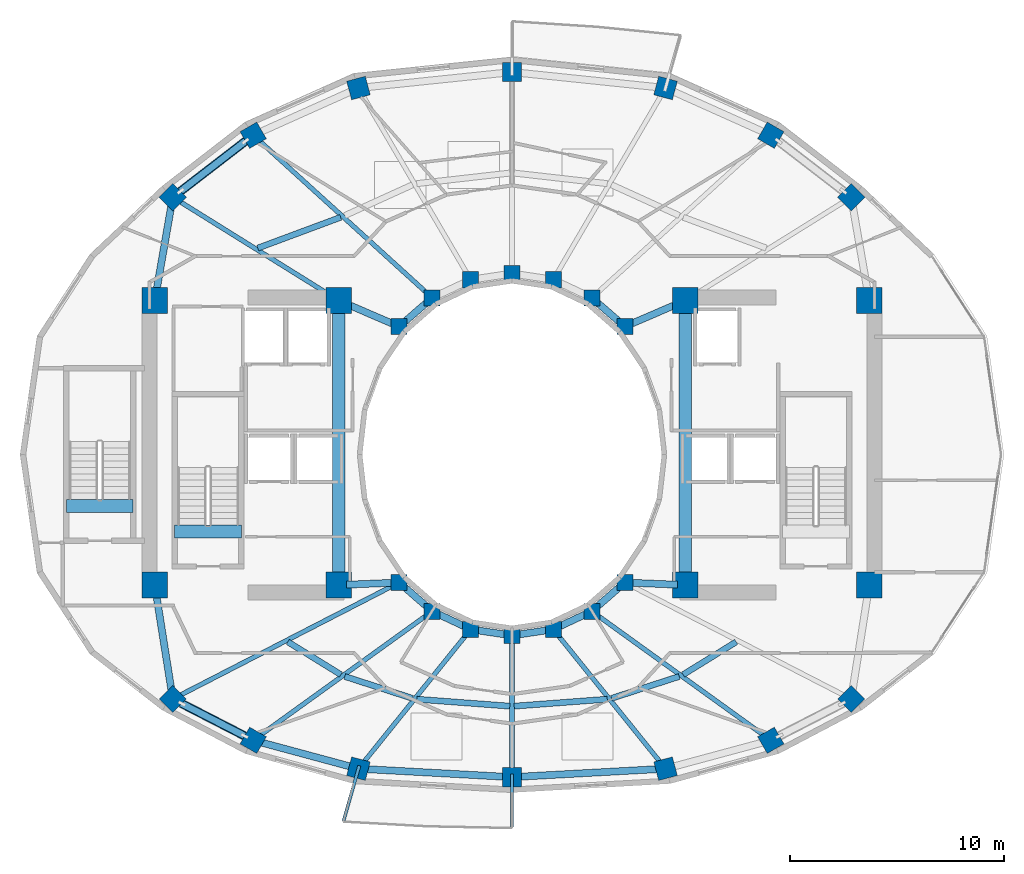
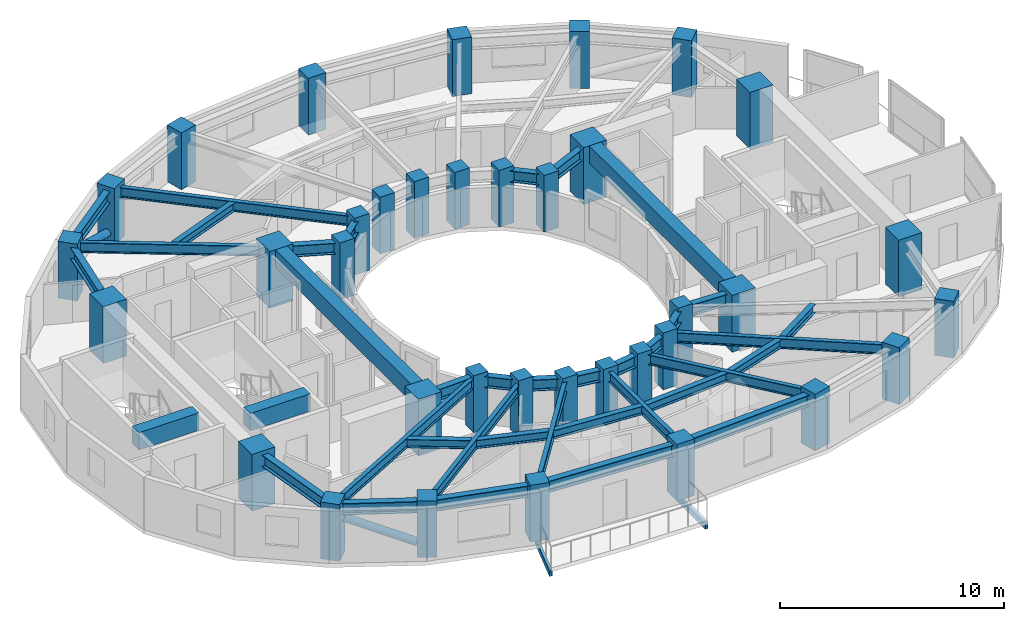
# One storey, part 1 of 13: 40 beams, 36 columns, 2 members.
"""IFC4 building model written with IfcOpenShell, lengths in metres."""

from ifc_helpers import new_model, si_unit, direction, frame, origin, origin_2d, place, context, subcontext, project, spatial, rectangle, hollow_rectangle, hollow_circle, i_section, extrude, material, material_profile, profile_set, type_object, element, save


model = new_model("IFC4")

# Units and contexts
model_context = context("Model", 3, precision=1e-05, world=origin(), true_north=direction((0.0, 1.0)))
body_context = subcontext(model_context, "Body", "Model", "MODEL_VIEW")
ifc_project = project(units=[si_unit("LENGTHUNIT", "METRE"), si_unit("AREAUNIT", "SQUARE_METRE"), si_unit("VOLUMEUNIT", "CUBIC_METRE"), si_unit("PLANEANGLEUNIT", "RADIAN"), si_unit("MASSUNIT", "GRAM", prefix="KILO")], contexts=[model_context])

# Site, building, storey
site_placement = place(None, origin())
site = spatial("IfcSite", under=ifc_project, at=site_placement, CompositionType="ELEMENT")
building_placement = place(site_placement, origin())
building = spatial("IfcBuilding", under=site, at=building_placement, Name="Solvane Sanctuary Tower", CompositionType="ELEMENT")
storey_placement = place(building_placement, frame((0.0, 0.0, 156.0)))
storey = spatial("IfcBuildingStorey", under=building, at=storey_placement, Name="L47", CompositionType="ELEMENT", Elevation=156.0)

# Columns
ifc_material_1 = material(Name="Concrete C50/60", Category="concrete")
ifc_material_profile_1 = material_profile(ifc_material_1, rectangle(XDim=0.75, YDim=0.75, at=origin_2d()), Name="RC750X750")
ifc_profile_set_1 = profile_set([ifc_material_profile_1], Name="Concrete C50/60")
column_type_1 = type_object("IfcColumnType", Name="Column C-RING-Z3 RC750X750", PredefinedType="COLUMN", material=ifc_profile_set_1)
for number, where, z_axis, x_axis, name in (
    (1, (37.27490234375, 28.982177734375, 0.0), (0.0, 0.0, 1.0), (1.0, 0.0, 0.0), "L47 Inner Light-Well Ring Column IC01"),
    (2, (35.72998046875, 30.32666015625, 0.0), (0.0, 0.0, 1.0), (1.0, 0.0, 0.0), "L47 Inner Light-Well Ring Column IC02"),
    (3, (33.930908203125, 31.171630859375, 0.0), (0.0, 0.0, 1.0), (1.0, 0.0, 0.0), "L47 Inner Light-Well Ring Column IC03"),
    (4, (32.0, 31.4599609375, 0.0), (0.0, 0.0, 1.0), (1.0, 0.0, 0.0), "L47 Inner Light-Well Ring Column IC04"),
    (5, (30.069091796875, 31.171630859375, 0.0), (0.0, 0.0, 1.0), (1.0, 0.0, 0.0), "L47 Inner Light-Well Ring Column IC05"),
    (6, (28.27001953125, 30.32666015625, 0.0), (0.0, 0.0, 1.0), (1.0, 0.0, 0.0), "L47 Inner Light-Well Ring Column IC06"),
    (7, (26.72509765625, 28.982177734375, 0.0), (0.0, 0.0, 1.0), (1.0, 0.0, 0.0), "L47 Inner Light-Well Ring Column IC07"),
    (8, (26.72509765625, 17.017822265625, 0.0), (0.0, 0.0, 1.0), (1.0, 0.0, 0.0), "L47 Inner Light-Well Ring Column IC08"),
    (9, (28.27001953125, 15.67333984375, 0.0), (0.0, 0.0, 1.0), (1.0, 0.0, 0.0), "L47 Inner Light-Well Ring Column IC09"),
    (10, (30.069091796875, 14.828369140625, 0.0), (0.0, 0.0, 1.0), (1.0, 0.0, 0.0), "L47 Inner Light-Well Ring Column IC10"),
    (11, (32.0, 14.5400390625, 0.0), (0.0, 0.0, 1.0), (1.0, 0.0, 0.0), "L47 Inner Light-Well Ring Column IC11"),
    (12, (33.930908203125, 14.828369140625, 0.0), (0.0, 0.0, 1.0), (1.0, 0.0, 0.0), "L47 Inner Light-Well Ring Column IC12"),
    (13, (35.72998046875, 15.67333984375, 0.0), (0.0, 0.0, 1.0), (1.0, 0.0, 0.0), "L47 Inner Light-Well Ring Column IC13"),
    (14, (37.27490234375, 17.017822265625, 0.0), (0.0, 0.0, 1.0), (1.0, 0.0, 0.0), "L47 Inner Light-Well Ring Column IC14"),
):
    element("IfcColumn", number, at=place(storey_placement, frame(where, z_axis=z_axis, x_axis=x_axis)), inside=storey, type_object=column_type_1, Name=name, PredefinedType="COLUMN", context=body_context, shape_type="SweptSolid", body=[
        extrude(rectangle(XDim=0.75, YDim=0.75, at=origin_2d()), origin(), (0.0, 0.0, 1.0), 3.10009765625),
    ])
ifc_material_2 = material(Name="Concrete C70/85", Category="concrete")
ifc_material_profile_2 = material_profile(ifc_material_2, rectangle(XDim=1.199951171875, YDim=1.199951171875, at=origin_2d()), Name="RC1200X1200")
ifc_profile_set_2 = profile_set([ifc_material_profile_2], Name="Concrete C70/85")
column_type_2 = type_object("IfcColumnType", Name="Column C-TUBE-Z1 RC1200X1200", PredefinedType="COLUMN", material=ifc_profile_set_2)
for number, where, z_axis, x_axis, name in (
    (15, (15.300048828125, 16.89990234375, 0.0), (0.0, 0.0, 1.0), (1.0, 0.0, 0.0), "L47 Core Corner Column CW1"),
    (16, (23.89990234375, 16.89990234375, 0.0), (0.0, 0.0, 1.0), (1.0, 0.0, 0.0), "L47 Core Corner Column CW2"),
    (17, (23.89990234375, 30.199951171875, 0.0), (0.0, 0.0, 1.0), (1.0, 0.0, 0.0), "L47 Core Corner Column CW3"),
    (18, (15.300048828125, 30.199951171875, 0.0), (0.0, 0.0, 1.0), (1.0, 0.0, 0.0), "L47 Core Corner Column CW4"),
    (19, (40.10009765625, 16.89990234375, 0.0), (0.0, 0.0, 1.0), (1.0, 0.0, 0.0), "L47 Core Corner Column CE1"),
    (20, (48.699951171875, 16.89990234375, 0.0), (0.0, 0.0, 1.0), (1.0, 0.0, 0.0), "L47 Core Corner Column CE2"),
    (21, (48.699951171875, 30.199951171875, 0.0), (0.0, 0.0, 1.0), (1.0, 0.0, 0.0), "L47 Core Corner Column CE3"),
    (22, (40.10009765625, 30.199951171875, 0.0), (0.0, 0.0, 1.0), (1.0, 0.0, 0.0), "L47 Core Corner Column CE4"),
):
    element("IfcColumn", number, at=place(storey_placement, frame(where, z_axis=z_axis, x_axis=x_axis)), inside=storey, type_object=column_type_2, Name=name, PredefinedType="COLUMN", context=body_context, shape_type="SweptSolid", body=[
        extrude(rectangle(XDim=1.199951171875, YDim=1.199951171875, at=origin_2d()), origin(), (0.0, 0.0, 1.0), 3.10009765625),
    ])
ifc_material_3 = material(Name="Concrete C60/75", Category="concrete")
ifc_material_profile_3 = material_profile(ifc_material_3, rectangle(XDim=0.89990234375, YDim=0.89990234375, at=origin_2d()), Name="RC900X900")
ifc_profile_set_3 = profile_set([ifc_material_profile_3], Name="Concrete C60/75")
column_type_3 = type_object("IfcColumnType", Name="Column C-TUBE-Z3 RC900X900", PredefinedType="COLUMN", material=ifc_profile_set_3)
for number, where, z_axis, x_axis, name in (
    (23, (47.856689453125, 35.031005859375, 0.0), (0.0, 0.0, 1.0), (0.707106781187, 0.707106781187, 0.0), "L47 Perimeter Tube Column TC01"),
    (24, (44.09814453125, 37.927978515625, 0.0), (0.0, 0.0, 1.0), (0.5, 0.866025403784, 0.0), "L47 Perimeter Tube Column TC02"),
    (25, (39.17822265625, 40.134521484375, 0.0), (0.0, 0.0, 1.0), (0.258819045103, 0.965925826289, 0.0), "L47 Perimeter Tube Column TC03"),
    (26, (32.0, 40.8798828125, 0.0), (0.0, 0.0, 1.0), (0.0, 1.0, 0.0), "L47 Perimeter Tube Column TC04"),
    (27, (24.82177734375, 40.134521484375, 0.0), (0.0, 0.0, 1.0), (-0.258819045103, 0.965925826289, 0.0), "L47 Perimeter Tube Column TC05"),
    (28, (19.90185546875, 37.927978515625, 0.0), (0.0, 0.0, 1.0), (-0.5, 0.866025403784, 0.0), "L47 Perimeter Tube Column TC06"),
    (29, (16.143310546875, 35.031005859375, 0.0), (0.0, 0.0, 1.0), (-0.707106781187, 0.707106781187, 0.0), "L47 Perimeter Tube Column TC07"),
    (30, (16.143310546875, 11.573486328125, 0.0), (0.0, 0.0, 1.0), (-0.707106781187, -0.707106781187, 0.0), "L47 Perimeter Tube Column TC08"),
    (31, (19.90185546875, 9.640625, 0.0), (0.0, 0.0, 1.0), (-0.5, -0.866025403784, 0.0), "L47 Perimeter Tube Column TC09"),
    (32, (24.82177734375, 8.313232421875, 0.0), (0.0, 0.0, 1.0), (-0.258819045103, -0.965925826289, 0.0), "L47 Perimeter Tube Column TC10"),
    (33, (32.0, 7.919921875, 0.0), (0.0, 0.0, 1.0), (0.0, -1.0, 0.0), "L47 Perimeter Tube Column TC11"),
    (34, (39.17822265625, 8.313232421875, 0.0), (0.0, 0.0, 1.0), (0.258819045103, -0.965925826289, 0.0), "L47 Perimeter Tube Column TC12"),
    (35, (44.09814453125, 9.640625, 0.0), (0.0, 0.0, 1.0), (0.5, -0.866025403784, 0.0), "L47 Perimeter Tube Column TC13"),
    (36, (47.856689453125, 11.573486328125, 0.0), (0.0, 0.0, 1.0), (0.707106781187, -0.707106781187, 0.0), "L47 Perimeter Tube Column TC14"),
):
    element("IfcColumn", number, at=place(storey_placement, frame(where, z_axis=z_axis, x_axis=x_axis)), inside=storey, type_object=column_type_3, Name=name, PredefinedType="COLUMN", context=body_context, shape_type="SweptSolid", body=[
        extrude(rectangle(XDim=0.89990234375, YDim=0.89990234375, at=origin_2d()), origin(), (0.0, 0.0, 1.0), 3.10009765625),
    ])

# Beams
ifc_material_4 = material(Name="Steel ASTM A500 Grade C", Category="steel")
ifc_material_profile_4 = material_profile(ifc_material_4, hollow_rectangle(XDim=0.14990234375, YDim=0.300048828125, WallThickness=0.010009765625, at=origin_2d()), Name="HSS300X150X10")
ifc_profile_set_4 = profile_set([ifc_material_profile_4], Name="Steel ASTM A500 Grade C")
beam_type_1 = type_object("IfcBeamType", Name="Beam B-BALC-BRK HSS300X150X10", PredefinedType="BEAM", material=ifc_profile_set_4)
beam_1_placement = place(storey_placement, frame((24.863037109375, 8.45751953125, -0.3720703125), z_axis=(-0.274985867497, -0.961448268331, 0.0), x_axis=(0.961448268331, -0.274985867497, 0.0)))
element("IfcBeam", 37, at=beam_1_placement, inside=storey, type_object=beam_type_1, Name="L47 Balcony Bracket SC-1", PredefinedType="BEAM", context=body_context, shape_type="SweptSolid", body=[
    extrude(hollow_rectangle(XDim=0.14990234375, YDim=0.300048828125, WallThickness=0.010009765625, at=origin_2d()), origin(), (0.0, 0.0, 1.0), 2.679443359375),
])
beam_2_placement = place(storey_placement, frame((32.0, 8.070068359375, -0.3720703125), z_axis=(0.0, -1.0, 0.0), x_axis=(1.0, 0.0, 0.0)))
element("IfcBeam", 38, at=beam_2_placement, inside=storey, type_object=beam_type_1, Name="L47 Balcony Bracket SC-2", PredefinedType="BEAM", context=body_context, shape_type="SweptSolid", body=[
    extrude(hollow_rectangle(XDim=0.14990234375, YDim=0.300048828125, WallThickness=0.010009765625, at=origin_2d()), origin(), (0.0, 0.0, 1.0), 2.484619140625),
])
ifc_material_profile_5 = material_profile(ifc_material_2, rectangle(XDim=0.60009765625, YDim=0.949951171875, at=origin_2d()), Name="RC600X950")
ifc_profile_set_5 = profile_set([ifc_material_profile_5], Name="Concrete C70/85")
beam_type_2 = type_object("IfcBeamType", Name="Beam B-COUPLE RC600X950", PredefinedType="LINTEL", material=ifc_profile_set_5)
for number, where, z_axis, x_axis, name in (
    (39, (23.89990234375, 17.35009765625, 2.625), (0.0, 1.0, 0.0), (-1.0, 0.0, 0.0), "L47 West Core Coupling Lintel"),
    (40, (40.10009765625, 17.35009765625, 2.625), (0.0, 1.0, 0.0), (-1.0, 0.0, 0.0), "L47 East Core Coupling Lintel"),
):
    element("IfcBeam", number, at=place(storey_placement, frame(where, z_axis=z_axis, x_axis=x_axis)), inside=storey, type_object=beam_type_2, Name=name, PredefinedType="LINTEL", context=body_context, shape_type="SweptSolid", body=[
        extrude(rectangle(XDim=0.60009765625, YDim=0.949951171875, at=origin_2d()), origin(), (0.0, 0.0, 1.0), 12.39990234375),
    ])
for number, where, z_axis, x_axis, name in (
    (41, (16.22998046875, 19.399169921875, 2.625), (1.0, 0.0, 0.0), (0.0, 1.0, 0.0), "L47 ST-1 Stair Floor Landing Trimmer"),
    (42, (11.169921875, 20.59912109375, 2.625), (1.0, 0.0, 0.0), (0.0, 1.0, 0.0), "L47 ST-3 Stair Floor Landing Trimmer"),
):
    element("IfcBeam", number, at=place(storey_placement, frame(where, z_axis=z_axis, x_axis=x_axis)), inside=storey, type_object=beam_type_2, Name=name, PredefinedType="LINTEL", context=body_context, shape_type="SweptSolid", body=[
        extrude(rectangle(XDim=0.60009765625, YDim=0.949951171875, at=origin_2d()), origin(), (0.0, 0.0, 1.0), 3.1201171875),
    ])
ifc_material_5 = material(Name="Steel ASTM A992 Grade 50", Category="steel")
ifc_material_profile_6 = material_profile(ifc_material_5, i_section(OverallWidth=0.214111328125, OverallDepth=0.549072265625, WebThickness=0.0146484375, FlangeThickness=0.023681640625, FilletRadius=0.014892578125, at=origin_2d()), Name="W21X93")
ifc_profile_set_6 = profile_set([ifc_material_profile_6], Name="Steel ASTM A992 Grade 50")
beam_type_3 = type_object("IfcBeamType", Name="Beam B-RAD-Z3 W21X93", PredefinedType="JOIST", material=ifc_profile_set_6)
beam_3_placement = place(storey_placement, frame((28.062744140625, 30.514892578125, 2.603515625), z_axis=(-0.74020423772, 0.672382098558, 0.0), x_axis=(-0.672382098558, -0.74020423772, 0.0)))
element("IfcBeam", 43, at=beam_3_placement, inside=storey, type_object=beam_type_3, Name="L47 Radial Composite Floor Beam 06", PredefinedType="JOIST", context=body_context, shape_type="SweptSolid", body=[
    extrude(i_section(OverallWidth=0.214111328125, OverallDepth=0.549072265625, WebThickness=0.0146484375, FlangeThickness=0.023681640625, FilletRadius=0.014892578125, at=origin_2d()), origin(), (0.0, 0.0, 1.0), 10.7451171875),
])
beam_4_placement = place(storey_placement, frame((23.594482421875, 30.390380859375, 2.603515625), z_axis=(-0.84882685523, 0.528670946658, 0.0), x_axis=(-0.528670946658, -0.84882685523, 0.0)))
element("IfcBeam", 44, at=beam_4_placement, inside=storey, type_object=beam_type_3, Name="L47 Radial Composite Floor Beam 07", PredefinedType="JOIST", context=body_context, shape_type="SweptSolid", body=[
    extrude(i_section(OverallWidth=0.214111328125, OverallDepth=0.549072265625, WebThickness=0.0146484375, FlangeThickness=0.023681640625, FilletRadius=0.014892578125, at=origin_2d()), origin(), (0.0, 0.0, 1.0), 8.498046875),
])
beam_5_placement = place(storey_placement, frame((26.47607421875, 16.889892578125, 2.603515625), z_axis=(-0.889204980299, -0.457509019595, 0.0), x_axis=(0.457509019595, -0.889204980299, 0.0)))
element("IfcBeam", 45, at=beam_5_placement, inside=storey, type_object=beam_type_3, Name="L47 Radial Composite Floor Beam 08", PredefinedType="JOIST", context=body_context, shape_type="SweptSolid", body=[
    extrude(i_section(OverallWidth=0.214111328125, OverallDepth=0.549072265625, WebThickness=0.0146484375, FlangeThickness=0.023681640625, FilletRadius=0.014892578125, at=origin_2d()), origin(), (0.0, 0.0, 1.0), 11.340087890625),
])
beam_6_placement = place(storey_placement, frame((28.04296875, 15.509765625, 2.603515625), z_axis=(-0.811184384633, -0.584790470277, 0.0), x_axis=(0.584790470277, -0.811184384633, 0.0)))
element("IfcBeam", 46, at=beam_6_placement, inside=storey, type_object=beam_type_3, Name="L47 Radial Composite Floor Beam 09", PredefinedType="JOIST", context=body_context, shape_type="SweptSolid", body=[
    extrude(i_section(OverallWidth=0.214111328125, OverallDepth=0.549072265625, WebThickness=0.0146484375, FlangeThickness=0.023681640625, FilletRadius=0.014892578125, at=origin_2d()), origin(), (0.0, 0.0, 1.0), 9.756103515625),
])
beam_7_placement = place(storey_placement, frame((29.8935546875, 14.610107421875, 2.603515625), z_axis=(-0.627296867999, -0.778780225352, 0.0), x_axis=(0.778780225352, -0.627296867999, 0.0)))
element("IfcBeam", 47, at=beam_7_placement, inside=storey, type_object=beam_type_3, Name="L47 Radial Composite Floor Beam 10", PredefinedType="JOIST", context=body_context, shape_type="SweptSolid", body=[
    extrude(i_section(OverallWidth=0.214111328125, OverallDepth=0.549072265625, WebThickness=0.0146484375, FlangeThickness=0.023681640625, FilletRadius=0.014892578125, at=origin_2d()), origin(), (0.0, 0.0, 1.0), 7.805419921875),
])
beam_8_placement = place(storey_placement, frame((32.0, 14.260009765625, 2.603515625), z_axis=(0.0, -1.0, 0.0), x_axis=(1.0, 0.0, 0.0)))
element("IfcBeam", 48, at=beam_8_placement, inside=storey, type_object=beam_type_3, Name="L47 Radial Composite Floor Beam 11", PredefinedType="JOIST", context=body_context, shape_type="SweptSolid", body=[
    extrude(i_section(OverallWidth=0.214111328125, OverallDepth=0.549072265625, WebThickness=0.0146484375, FlangeThickness=0.023681640625, FilletRadius=0.014892578125, at=origin_2d()), origin(), (0.0, 0.0, 1.0), 6.06005859375),
])
beam_9_placement = place(storey_placement, frame((34.1064453125, 14.610107421875, 2.603515625), z_axis=(0.627296867999, -0.778780225352, 0.0), x_axis=(0.778780225352, 0.627296867999, 0.0)))
element("IfcBeam", 49, at=beam_9_placement, inside=storey, type_object=beam_type_3, Name="L47 Radial Composite Floor Beam 12", PredefinedType="JOIST", context=body_context, shape_type="SweptSolid", body=[
    extrude(i_section(OverallWidth=0.214111328125, OverallDepth=0.549072265625, WebThickness=0.0146484375, FlangeThickness=0.023681640625, FilletRadius=0.014892578125, at=origin_2d()), origin(), (0.0, 0.0, 1.0), 7.805419921875),
])
beam_10_placement = place(storey_placement, frame((35.95703125, 15.509765625, 2.603515625), z_axis=(0.811184384633, -0.584790470277, 0.0), x_axis=(0.584790470277, 0.811184384633, 0.0)))
element("IfcBeam", 50, at=beam_10_placement, inside=storey, type_object=beam_type_3, Name="L47 Radial Composite Floor Beam 13", PredefinedType="JOIST", context=body_context, shape_type="SweptSolid", body=[
    extrude(i_section(OverallWidth=0.214111328125, OverallDepth=0.549072265625, WebThickness=0.0146484375, FlangeThickness=0.023681640625, FilletRadius=0.014892578125, at=origin_2d()), origin(), (0.0, 0.0, 1.0), 9.756103515625),
])
ifc_material_profile_7 = material_profile(ifc_material_5, i_section(OverallWidth=0.324951171875, OverallDepth=0.615966796875, WebThickness=0.013916015625, FlangeThickness=0.021484375, FilletRadius=0.01611328125, at=origin_2d()), Name="W24X117")
ifc_profile_set_7 = profile_set([ifc_material_profile_7], Name="Steel ASTM A992 Grade 50")
beam_type_4 = type_object("IfcBeamType", Name="Beam B-RING-IN2 W24X117", PredefinedType="BEAM", material=ifc_profile_set_7)
beam_11_placement = place(storey_placement, frame((24.230712890625, 30.0576171875, 2.570068359375), z_axis=(0.918264067649, -0.395968561966, 0.0), x_axis=(0.395968561966, 0.918264067649, 0.0)))
element("IfcBeam", 51, at=beam_11_placement, inside=storey, type_object=beam_type_4, Name="L47 Inner Light-Well Ring Beam CW3-IC07", PredefinedType="BEAM", context=body_context, shape_type="SweptSolid", body=[
    extrude(i_section(OverallWidth=0.324951171875, OverallDepth=0.615966796875, WebThickness=0.013916015625, FlangeThickness=0.021484375, FilletRadius=0.01611328125, at=origin_2d()), origin(), (0.0, 0.0, 1.0), 2.371337890625),
])
for number, where, z_axis, x_axis, name in (
    (52, (26.9853515625, 29.20849609375, 2.570068359375), (0.754311313851, 0.656516901379, 0.0), (-0.656516901379, 0.754311313851, 0.0), "L47 Inner Light-Well Ring Beam IC07-IC06"),
    (53, (35.990234375, 30.10009765625, 2.570068359375), (0.754311313851, -0.656516901379, 0.0), (0.656516901379, 0.754311313851, 0.0), "L47 Inner Light-Well Ring Beam IC02-IC01"),
):
    element("IfcBeam", number, at=place(storey_placement, frame(where, z_axis=z_axis, x_axis=x_axis)), inside=storey, type_object=beam_type_4, Name=name, PredefinedType="BEAM", context=body_context, shape_type="SweptSolid", body=[
        extrude(i_section(OverallWidth=0.324951171875, OverallDepth=0.615966796875, WebThickness=0.013916015625, FlangeThickness=0.021484375, FilletRadius=0.01611328125, at=origin_2d()), origin(), (0.0, 0.0, 1.0), 1.358154296875),
    ])
beam_12_placement = place(storey_placement, frame((37.591796875, 29.11865234375, 2.570068359375), z_axis=(0.918264067649, 0.395968561966, 0.0), x_axis=(-0.395968561966, 0.918264067649, 0.0)))
element("IfcBeam", 54, at=beam_12_placement, inside=storey, type_object=beam_type_4, Name="L47 Inner Light-Well Ring Beam IC01-CE4", PredefinedType="BEAM", context=body_context, shape_type="SweptSolid", body=[
    extrude(i_section(OverallWidth=0.324951171875, OverallDepth=0.615966796875, WebThickness=0.013916015625, FlangeThickness=0.021484375, FilletRadius=0.01611328125, at=origin_2d()), origin(), (0.0, 0.0, 1.0), 2.371337890625),
])
beam_13_placement = place(storey_placement, frame((24.259765625, 16.9150390625, 2.570068359375), z_axis=(0.999132674336, 0.041640113759, 0.0), x_axis=(-0.041640113759, 0.999132674336, 0.0)))
element("IfcBeam", 55, at=beam_13_placement, inside=storey, type_object=beam_type_4, Name="L47 Inner Light-Well Ring Beam CW2-IC08", PredefinedType="BEAM", context=body_context, shape_type="SweptSolid", body=[
    extrude(i_section(OverallWidth=0.324951171875, OverallDepth=0.615966796875, WebThickness=0.013916015625, FlangeThickness=0.021484375, FilletRadius=0.01611328125, at=origin_2d()), origin(), (0.0, 0.0, 1.0), 2.12255859375),
])
beam_14_placement = place(storey_placement, frame((26.9853515625, 16.79150390625, 2.570068359375), z_axis=(0.754311313851, -0.656516901379, 0.0), x_axis=(0.656516901379, 0.754311313851, 0.0)))
element("IfcBeam", 56, at=beam_14_placement, inside=storey, type_object=beam_type_4, Name="L47 Inner Light-Well Ring Beam IC08-IC09", PredefinedType="BEAM", context=body_context, shape_type="SweptSolid", body=[
    extrude(i_section(OverallWidth=0.324951171875, OverallDepth=0.615966796875, WebThickness=0.013916015625, FlangeThickness=0.021484375, FilletRadius=0.01611328125, at=origin_2d()), origin(), (0.0, 0.0, 1.0), 1.358154296875),
])
beam_15_placement = place(storey_placement, frame((28.582275390625, 15.526611328125, 2.570068359375), z_axis=(0.9051808128, -0.425026700502, 0.0), x_axis=(0.425026700502, 0.9051808128, 0.0)))
element("IfcBeam", 57, at=beam_15_placement, inside=storey, type_object=beam_type_4, Name="L47 Inner Light-Well Ring Beam IC09-IC10", PredefinedType="BEAM", context=body_context, shape_type="SweptSolid", body=[
    extrude(i_section(OverallWidth=0.324951171875, OverallDepth=0.615966796875, WebThickness=0.013916015625, FlangeThickness=0.021484375, FilletRadius=0.01611328125, at=origin_2d()), origin(), (0.0, 0.0, 1.0), 1.297607421875),
])
for number, where, z_axis, x_axis, name in (
    (58, (30.410400390625, 14.77734375, 2.570068359375), (0.989019905763, -0.147782360259, 0.0), (0.147782360259, 0.989019905763, 0.0), "L47 Inner Light-Well Ring Beam IC10-IC11"),
    (59, (32.34130859375, 14.5908203125, 2.570068359375), (0.989019905763, 0.147782360259, 0.0), (-0.147782360259, 0.989019905763, 0.0), "L47 Inner Light-Well Ring Beam IC11-IC12"),
):
    element("IfcBeam", number, at=place(storey_placement, frame(where, z_axis=z_axis, x_axis=x_axis)), inside=storey, type_object=beam_type_4, Name=name, PredefinedType="BEAM", context=body_context, shape_type="SweptSolid", body=[
        extrude(i_section(OverallWidth=0.324951171875, OverallDepth=0.615966796875, WebThickness=0.013916015625, FlangeThickness=0.021484375, FilletRadius=0.01611328125, at=origin_2d()), origin(), (0.0, 0.0, 1.0), 1.26220703125),
    ])
beam_16_placement = place(storey_placement, frame((34.2431640625, 14.97509765625, 2.570068359375), z_axis=(0.9051808128, 0.425026700502, 0.0), x_axis=(-0.425026700502, 0.9051808128, 0.0)))
element("IfcBeam", 60, at=beam_16_placement, inside=storey, type_object=beam_type_4, Name="L47 Inner Light-Well Ring Beam IC12-IC13", PredefinedType="BEAM", context=body_context, shape_type="SweptSolid", body=[
    extrude(i_section(OverallWidth=0.324951171875, OverallDepth=0.615966796875, WebThickness=0.013916015625, FlangeThickness=0.021484375, FilletRadius=0.01611328125, at=origin_2d()), origin(), (0.0, 0.0, 1.0), 1.297607421875),
])
beam_17_placement = place(storey_placement, frame((35.990234375, 15.89990234375, 2.570068359375), z_axis=(0.754311313851, 0.656516901379, 0.0), x_axis=(-0.656516901379, 0.754311313851, 0.0)))
element("IfcBeam", 61, at=beam_17_placement, inside=storey, type_object=beam_type_4, Name="L47 Inner Light-Well Ring Beam IC13-IC14", PredefinedType="BEAM", context=body_context, shape_type="SweptSolid", body=[
    extrude(i_section(OverallWidth=0.324951171875, OverallDepth=0.615966796875, WebThickness=0.013916015625, FlangeThickness=0.021484375, FilletRadius=0.01611328125, at=origin_2d()), origin(), (0.0, 0.0, 1.0), 1.358154296875),
])
beam_18_placement = place(storey_placement, frame((37.61962890625, 17.00341796875, 2.570068359375), z_axis=(0.999132674336, -0.041640113759, 0.0), x_axis=(0.041640113759, 0.999132674336, 0.0)))
element("IfcBeam", 62, at=beam_18_placement, inside=storey, type_object=beam_type_4, Name="L47 Inner Light-Well Ring Beam IC14-CE1", PredefinedType="BEAM", context=body_context, shape_type="SweptSolid", body=[
    extrude(i_section(OverallWidth=0.324951171875, OverallDepth=0.615966796875, WebThickness=0.013916015625, FlangeThickness=0.021484375, FilletRadius=0.01611328125, at=origin_2d()), origin(), (0.0, 0.0, 1.0), 2.12255859375),
])
ifc_material_profile_8 = material_profile(ifc_material_5, i_section(OverallWidth=0.280029296875, OverallDepth=0.462890625, WebThickness=0.0107421875, FlangeThickness=0.017333984375, FilletRadius=0.013916015625, at=origin_2d()), Name="W18X76")
ifc_profile_set_8 = profile_set([ifc_material_profile_8], Name="Steel ASTM A992 Grade 50")
beam_type_5 = type_object("IfcBeamType", Name="Beam B-SEC-JOIST W18X76", PredefinedType="JOIST", material=ifc_profile_set_8)
beam_19_placement = place(storey_placement, frame((20.1171875, 32.651123046875, 2.646484375), z_axis=(0.937265401165, 0.348616648741, 0.0), x_axis=(-0.348616648741, 0.937265401165, 0.0)))
element("IfcBeam", 63, at=beam_19_placement, inside=storey, type_object=beam_type_5, Name="L47 Secondary Circumferential Joist 07-06", PredefinedType="JOIST", context=body_context, shape_type="SweptSolid", body=[
    extrude(i_section(OverallWidth=0.280029296875, OverallDepth=0.462890625, WebThickness=0.0107421875, FlangeThickness=0.017333984375, FilletRadius=0.013916015625, at=origin_2d()), origin(), (0.0, 0.0, 1.0), 4.132568359375),
])
beam_20_placement = place(storey_placement, frame((21.52099609375, 14.2421875, 2.646484375), z_axis=(0.850675655701, -0.525690906139, 0.0), x_axis=(0.525690906139, 0.850675655701, 0.0)))
element("IfcBeam", 64, at=beam_20_placement, inside=storey, type_object=beam_type_5, Name="L47 Secondary Circumferential Joist 08-09", PredefinedType="JOIST", context=body_context, shape_type="SweptSolid", body=[
    extrude(i_section(OverallWidth=0.280029296875, OverallDepth=0.462890625, WebThickness=0.0107421875, FlangeThickness=0.017333984375, FilletRadius=0.013916015625, at=origin_2d()), origin(), (0.0, 0.0, 1.0), 2.913330078125),
])
beam_21_placement = place(storey_placement, frame((24.18310546875, 12.625732421875, 2.646484375), z_axis=(0.951499502658, -0.307650282695, 0.0), x_axis=(0.307650282695, 0.951499502658, 0.0)))
element("IfcBeam", 65, at=beam_21_placement, inside=storey, type_object=beam_type_5, Name="L47 Secondary Circumferential Joist 09-10", PredefinedType="JOIST", context=body_context, shape_type="SweptSolid", body=[
    extrude(i_section(OverallWidth=0.280029296875, OverallDepth=0.462890625, WebThickness=0.0107421875, FlangeThickness=0.017333984375, FilletRadius=0.013916015625, at=origin_2d()), origin(), (0.0, 0.0, 1.0), 3.32666015625),
])
for number, where, z_axis, x_axis, name in (
    (66, (27.547119140625, 11.563232421875, 2.646484375), (0.99721035762, -0.074642498994, 0.0), (0.074642498994, 0.99721035762, 0.0), "L47 Secondary Circumferential Joist 10-11"),
    (67, (32.101806640625, 11.237548828125, 2.646484375), (0.99721035762, 0.074642498994, 0.0), (-0.074642498994, 0.99721035762, 0.0), "L47 Secondary Circumferential Joist 11-12"),
):
    element("IfcBeam", number, at=place(storey_placement, frame(where, z_axis=z_axis, x_axis=x_axis)), inside=storey, type_object=beam_type_5, Name=name, PredefinedType="JOIST", context=body_context, shape_type="SweptSolid", body=[
        extrude(i_section(OverallWidth=0.280029296875, OverallDepth=0.462890625, WebThickness=0.0107421875, FlangeThickness=0.017333984375, FilletRadius=0.013916015625, at=origin_2d()), origin(), (0.0, 0.0, 1.0), 4.36328125),
    ])
beam_22_placement = place(storey_placement, frame((36.651611328125, 11.602294921875, 2.646484375), z_axis=(0.951499502658, 0.307650282695, 0.0), x_axis=(-0.307650282695, 0.951499502658, 0.0)))
element("IfcBeam", 68, at=beam_22_placement, inside=storey, type_object=beam_type_5, Name="L47 Secondary Circumferential Joist 12-13", PredefinedType="JOIST", context=body_context, shape_type="SweptSolid", body=[
    extrude(i_section(OverallWidth=0.280029296875, OverallDepth=0.462890625, WebThickness=0.0107421875, FlangeThickness=0.017333984375, FilletRadius=0.013916015625, at=origin_2d()), origin(), (0.0, 0.0, 1.0), 3.32666015625),
])
beam_23_placement = place(storey_placement, frame((40.0009765625, 12.710693359375, 2.646484375), z_axis=(0.850652494422, 0.525728383991, 0.0), x_axis=(-0.525728383991, 0.850652494422, 0.0)))
element("IfcBeam", 69, at=beam_23_placement, inside=storey, type_object=beam_type_5, Name="L47 Secondary Circumferential Joist 13-14", PredefinedType="JOIST", context=body_context, shape_type="SweptSolid", body=[
    extrude(i_section(OverallWidth=0.280029296875, OverallDepth=0.462890625, WebThickness=0.0107421875, FlangeThickness=0.017333984375, FilletRadius=0.013916015625, at=origin_2d()), origin(), (0.0, 0.0, 1.0), 2.9130859375),
])
ifc_material_profile_9 = material_profile(ifc_material_5, i_section(OverallWidth=0.327880859375, OverallDepth=0.6279296875, WebThickness=0.0166015625, FlangeThickness=0.027587890625, FilletRadius=0.01611328125, at=origin_2d()), Name="W24X146")
ifc_profile_set_9 = profile_set([ifc_material_profile_9], Name="Steel ASTM A992 Grade 50")
beam_type_6 = type_object("IfcBeamType", Name="Beam B-SPAND-Z3 W24X146", PredefinedType="SPANDREL", material=ifc_profile_set_9)
beam_24_placement = place(storey_placement, frame((15.34814453125, 30.475830078125, 2.56396484375), z_axis=(0.171967263087, 0.985102664917, 0.0), x_axis=(-0.985102664917, 0.171967263087, 0.0)))
element("IfcBeam", 70, at=beam_24_placement, inside=storey, type_object=beam_type_6, Name="L47 Perimeter Spandrel Beam CW4-TC07", PredefinedType="SPANDREL", context=body_context, shape_type="SweptSolid", body=[
    extrude(i_section(OverallWidth=0.327880859375, OverallDepth=0.6279296875, WebThickness=0.0166015625, FlangeThickness=0.027587890625, FilletRadius=0.01611328125, at=origin_2d()), origin(), (0.0, 0.0, 1.0), 4.34423828125),
])
beam_25_placement = place(storey_placement, frame((16.365234375, 35.201904296875, 2.56396484375), z_axis=(0.792020773873, 0.610494139001, 0.0), x_axis=(-0.610494139001, 0.792020773873, 0.0)))
element("IfcBeam", 71, at=beam_25_placement, inside=storey, type_object=beam_type_6, Name="L47 Perimeter Spandrel Beam TC07-TC06", PredefinedType="SPANDREL", context=body_context, shape_type="SweptSolid", body=[
    extrude(i_section(OverallWidth=0.327880859375, OverallDepth=0.6279296875, WebThickness=0.0166015625, FlangeThickness=0.027587890625, FilletRadius=0.01611328125, at=origin_2d()), origin(), (0.0, 0.0, 1.0), 4.185302734375),
])
beam_26_placement = place(storey_placement, frame((15.34375, 16.623291015625, 2.56396484375), z_axis=(0.156406167317, -0.987692822099, 0.0), x_axis=(0.987692822099, 0.156406167317, 0.0)))
element("IfcBeam", 72, at=beam_26_placement, inside=storey, type_object=beam_type_6, Name="L47 Perimeter Spandrel Beam CW1-TC08", PredefinedType="SPANDREL", context=body_context, shape_type="SweptSolid", body=[
    extrude(i_section(OverallWidth=0.327880859375, OverallDepth=0.6279296875, WebThickness=0.0166015625, FlangeThickness=0.027587890625, FilletRadius=0.01611328125, at=origin_2d()), origin(), (0.0, 0.0, 1.0), 4.832763671875),
])
beam_27_placement = place(storey_placement, frame((16.392333984375, 11.445556640625, 2.56396484375), z_axis=(0.889295540094, -0.457332966632, 0.0), x_axis=(0.457332966632, 0.889295540094, 0.0)))
element("IfcBeam", 73, at=beam_27_placement, inside=storey, type_object=beam_type_6, Name="L47 Perimeter Spandrel Beam TC08-TC09", PredefinedType="SPANDREL", context=body_context, shape_type="SweptSolid", body=[
    extrude(i_section(OverallWidth=0.327880859375, OverallDepth=0.6279296875, WebThickness=0.0166015625, FlangeThickness=0.027587890625, FilletRadius=0.01611328125, at=origin_2d()), origin(), (0.0, 0.0, 1.0), 3.66650390625),
])
beam_28_placement = place(storey_placement, frame((20.172119140625, 9.56787109375, 2.56396484375), z_axis=(0.965473224565, -0.260502308334, 0.0), x_axis=(0.260502308334, 0.965473224565, 0.0)))
element("IfcBeam", 74, at=beam_28_placement, inside=storey, type_object=beam_type_6, Name="L47 Perimeter Spandrel Beam TC09-TC10", PredefinedType="SPANDREL", context=body_context, shape_type="SweptSolid", body=[
    extrude(i_section(OverallWidth=0.327880859375, OverallDepth=0.6279296875, WebThickness=0.0166015625, FlangeThickness=0.027587890625, FilletRadius=0.01611328125, at=origin_2d()), origin(), (0.0, 0.0, 1.0), 4.535888671875),
])
for number, where, z_axis, x_axis, name in (
    (75, (25.101318359375, 8.298095703125, 2.56396484375), (0.998501325362, -0.054727536496, 0.0), (0.054727536496, 0.998501325362, 0.0), "L47 Perimeter Spandrel Beam TC10-TC11"),
    (76, (32.279541015625, 7.935302734375, 2.56396484375), (0.998501325362, 0.054727536496, 0.0), (-0.054727536496, 0.998501325362, 0.0), "L47 Perimeter Spandrel Beam TC11-TC12"),
):
    element("IfcBeam", number, at=place(storey_placement, frame(where, z_axis=z_axis, x_axis=x_axis)), inside=storey, type_object=beam_type_6, Name=name, PredefinedType="SPANDREL", context=body_context, shape_type="SweptSolid", body=[
        extrude(i_section(OverallWidth=0.327880859375, OverallDepth=0.6279296875, WebThickness=0.0166015625, FlangeThickness=0.027587890625, FilletRadius=0.01611328125, at=origin_2d()), origin(), (0.0, 0.0, 1.0), 6.629150390625),
    ])

# Members
ifc_material_profile_10 = material_profile(ifc_material_5, hollow_circle(Radius=0.202880859375, WallThickness=0.012451171875, at=origin_2d()), Name="CHS406X12.5")
ifc_profile_set_10 = profile_set([ifc_material_profile_10], Name="Steel ASTM A992 Grade 50")
member_type = type_object("IfcMemberType", Name="Member M-TUBE-Z3 CHS406X12.5", PredefinedType="BRACE", material=ifc_profile_set_10)
member_1_placement = place(storey_placement, frame((19.534912109375, 37.645263671875, 0.5625), z_axis=(-0.73686018058, -0.568005062922, 0.366616042707), x_axis=(0.610513708364, -0.792005689311, 0.0)))
element("IfcMember", 77, at=member_1_placement, inside=storey, type_object=member_type, Name="L47 Perimeter Braced-Tube Diagonal NW", PredefinedType="BRACE", context=body_context, shape_type="SweptSolid", body=[
    extrude(hollow_circle(Radius=0.202880859375, WallThickness=0.012451171875, at=origin_2d()), origin(), (0.0, 0.0, 1.0), 4.104736328125),
])
member_2_placement = place(storey_placement, frame((19.4931640625, 9.850830078125, 0.58349609375), z_axis=(-0.813251703989, 0.418247617111, 0.404586945834), x_axis=(-0.457351371069, -0.889286075108, 0.0)))
element("IfcMember", 78, at=member_2_placement, inside=storey, type_object=member_type, Name="L47 Perimeter Braced-Tube Diagonal SW", PredefinedType="BRACE", context=body_context, shape_type="SweptSolid", body=[
    extrude(hollow_circle(Radius=0.202880859375, WallThickness=0.012451171875, at=origin_2d()), origin(), (0.0, 0.0, 1.0), 3.59228515625),
])

save(model, "model.ifc")
